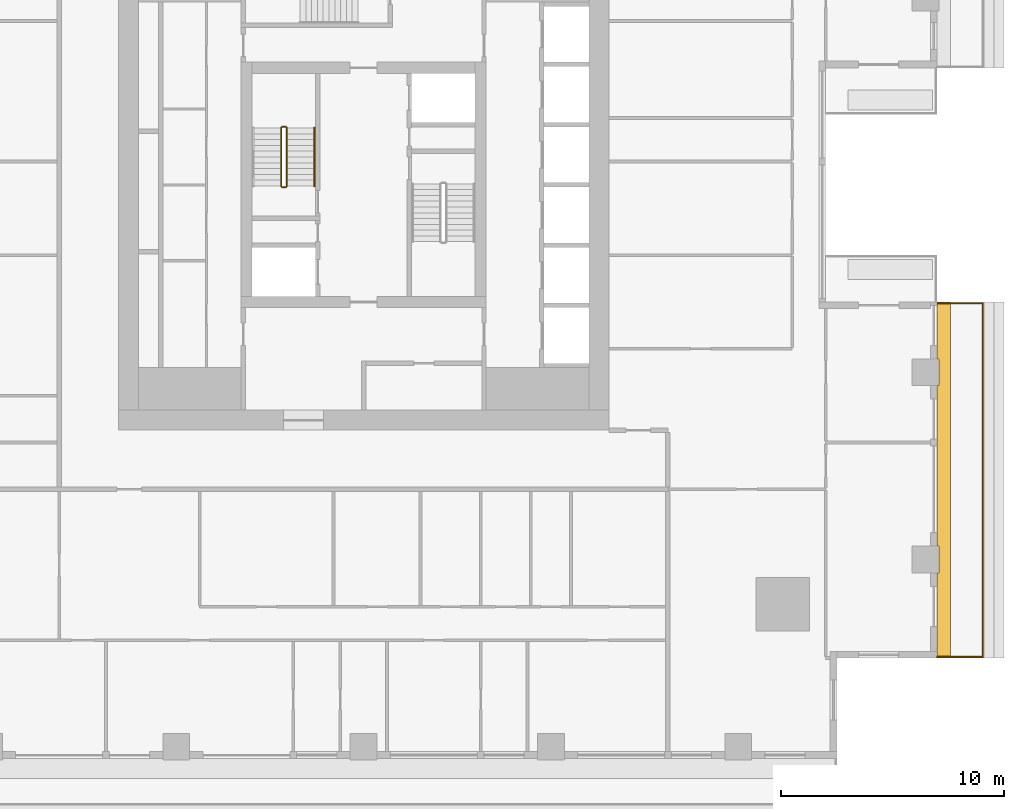
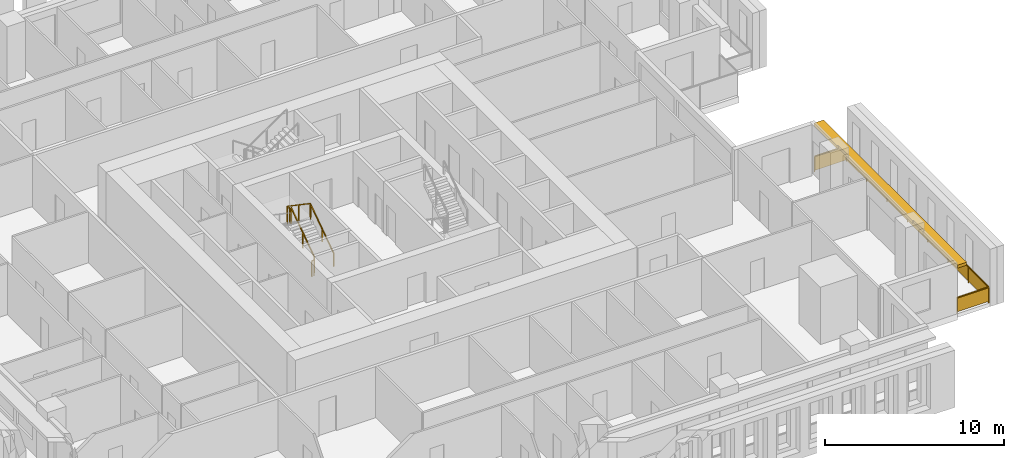
# One storey, part 12 of 15: 6 railings, 1 shading device.
"""IFC4 building model written with IfcOpenShell, lengths in metres."""

from ifc_helpers import new_model, si_unit, direction, frame, origin, origin_2d, place, context, subcontext, project, spatial, polyline, rectangle, outline, extrude, material, layer, layer_set, type_object, element, save


model = new_model("IFC4")

# Units and contexts
model_context = context("Model", 3, precision=1e-05, world=origin(), true_north=direction((0.0, 1.0)))
body_context = subcontext(model_context, "Body", "Model", "MODEL_VIEW")
ifc_project = project(units=[si_unit("LENGTHUNIT", "METRE"), si_unit("AREAUNIT", "SQUARE_METRE"), si_unit("VOLUMEUNIT", "CUBIC_METRE"), si_unit("PLANEANGLEUNIT", "RADIAN"), si_unit("MASSUNIT", "GRAM", prefix="KILO")], contexts=[model_context])

# Site, building, storey
site_placement = place(None, origin())
site = spatial("IfcSite", under=ifc_project, at=site_placement, CompositionType="ELEMENT")
building_placement = place(site_placement, origin())
building = spatial("IfcBuilding", under=site, at=building_placement, Name="Khepri Terraces", CompositionType="ELEMENT")
storey_placement = place(building_placement, frame((0.0, 0.0, 196.199951171875)))
storey = spatial("IfcBuildingStorey", under=building, at=storey_placement, Name="L46", CompositionType="ELEMENT", Elevation=196.199951171875)

# Railings
ifc_material_1 = material(Name="Stainless steel grade 316", Category="steel")
railing_type_1 = type_object("IfcRailingType", Name="GRD-BAL-1100", PredefinedType="GUARDRAIL", material=ifc_material_1)
railing_1_placement = place(storey_placement, frame((25.719970703125, -21.169921875, 0.0)))
element("IfcRailing", 1, at=railing_1_placement, inside=storey, type_object=railing_type_1, Name="Balcony guard L46 E", PredefinedType="GUARDRAIL", context=body_context, shape_type="SweptSolid", body=[
    extrude(rectangle(XDim=0.050048828125, YDim=0.06005859375, at=origin_2d()), frame((0.0, 0.0, 1.070068359375), z_axis=(1.0, 0.0, 0.0), x_axis=(0.0, 1.0, 0.0)), (0.0, 0.0, 1.0), 2.050048828125),
    extrude(rectangle(XDim=2.0, YDim=0.011962890625, at=origin_2d()), frame((1.02490234375, 0.0, 0.10009765625), z_axis=(0.0, 0.0, 1.0), x_axis=(1.0, 0.0, 0.0)), (0.0, 0.0, 1.0), 0.93994140625),
    extrude(rectangle(XDim=0.050048828125, YDim=0.06005859375, at=origin_2d()), frame((2.050048828125, 0.0, 1.070068359375), z_axis=(0.0, 1.0, 0.0), x_axis=(-1.0, 0.0, 0.0)), (0.0, 0.0, 1.0), 15.869873046875),
    extrude(rectangle(XDim=2.217041015625, YDim=0.011962890625, at=origin_2d()), frame((2.050048828125, 1.133544921875, 0.10009765625), z_axis=(0.0, 0.0, 1.0), x_axis=(0.0, 1.0, 0.0)), (0.0, 0.0, 1.0), 0.93994140625),
    extrude(rectangle(XDim=2.217041015625, YDim=0.011962890625, at=origin_2d()), frame((2.050048828125, 3.400634765625, 0.10009765625), z_axis=(0.0, 0.0, 1.0), x_axis=(0.0, 1.0, 0.0)), (0.0, 0.0, 1.0), 0.93994140625),
    extrude(rectangle(XDim=2.217041015625, YDim=0.011962890625, at=origin_2d()), frame((2.050048828125, 5.667724609375, 0.10009765625), z_axis=(0.0, 0.0, 1.0), x_axis=(0.0, 1.0, 0.0)), (0.0, 0.0, 1.0), 0.93994140625),
    extrude(rectangle(XDim=2.217041015625, YDim=0.011962890625, at=origin_2d()), frame((2.050048828125, 7.93505859375, 0.10009765625), z_axis=(0.0, 0.0, 1.0), x_axis=(0.0, 1.0, 0.0)), (0.0, 0.0, 1.0), 0.93994140625),
    extrude(rectangle(XDim=2.217041015625, YDim=0.011962890625, at=origin_2d()), frame((2.050048828125, 10.2021484375, 0.10009765625), z_axis=(0.0, 0.0, 1.0), x_axis=(0.0, 1.0, 0.0)), (0.0, 0.0, 1.0), 0.93994140625),
    extrude(rectangle(XDim=2.217041015625, YDim=0.011962890625, at=origin_2d()), frame((2.050048828125, 12.46923828125, 0.10009765625), z_axis=(0.0, 0.0, 1.0), x_axis=(0.0, 1.0, 0.0)), (0.0, 0.0, 1.0), 0.93994140625),
    extrude(rectangle(XDim=2.217041015625, YDim=0.011962890625, at=origin_2d()), frame((2.050048828125, 14.736328125, 0.10009765625), z_axis=(0.0, 0.0, 1.0), x_axis=(0.0, 1.0, 0.0)), (0.0, 0.0, 1.0), 0.93994140625),
    extrude(rectangle(XDim=0.050048828125, YDim=0.06005859375, at=origin_2d()), frame((2.050048828125, 15.869873046875, 1.070068359375), z_axis=(-1.0, 0.0, 0.0), x_axis=(0.0, -1.0, 0.0)), (0.0, 0.0, 1.0), 2.050048828125),
    extrude(rectangle(XDim=2.0, YDim=0.011962890625, at=origin_2d()), frame((1.02490234375, 15.869873046875, 0.10009765625), z_axis=(0.0, 0.0, 1.0), x_axis=(-1.0, 0.0, 0.0)), (0.0, 0.0, 1.0), 0.93994140625),
    extrude(rectangle(XDim=0.050048828125, YDim=0.050048828125, at=origin_2d()), origin(), (0.0, 0.0, 1.0), 1.0400390625),
    extrude(rectangle(XDim=0.050048828125, YDim=0.050048828125, at=origin_2d()), frame((2.050048828125, 0.0, 0.0)), (0.0, 0.0, 1.0), 1.0400390625),
    extrude(rectangle(XDim=0.050048828125, YDim=0.050048828125, at=origin_2d()), frame((2.050048828125, 2.26708984375, 0.0)), (0.0, 0.0, 1.0), 1.0400390625),
    extrude(rectangle(XDim=0.050048828125, YDim=0.050048828125, at=origin_2d()), frame((2.050048828125, 4.5341796875, 0.0)), (0.0, 0.0, 1.0), 1.0400390625),
    extrude(rectangle(XDim=0.050048828125, YDim=0.050048828125, at=origin_2d()), frame((2.050048828125, 6.80126953125, 0.0)), (0.0, 0.0, 1.0), 1.0400390625),
    extrude(rectangle(XDim=0.050048828125, YDim=0.050048828125, at=origin_2d()), frame((2.050048828125, 9.068603515625, 0.0)), (0.0, 0.0, 1.0), 1.0400390625),
    extrude(rectangle(XDim=0.050048828125, YDim=0.050048828125, at=origin_2d()), frame((2.050048828125, 11.335693359375, 0.0)), (0.0, 0.0, 1.0), 1.0400390625),
    extrude(rectangle(XDim=0.050048828125, YDim=0.050048828125, at=origin_2d()), frame((2.050048828125, 13.602783203125, 0.0)), (0.0, 0.0, 1.0), 1.0400390625),
    extrude(rectangle(XDim=0.050048828125, YDim=0.050048828125, at=origin_2d()), frame((2.050048828125, 15.869873046875, 0.0)), (0.0, 0.0, 1.0), 1.0400390625),
    extrude(rectangle(XDim=0.050048828125, YDim=0.050048828125, at=origin_2d()), frame((0.0, 15.869873046875, 0.0)), (0.0, 0.0, 1.0), 1.0400390625),
])
ifc_material_2 = material(Name="Stainless steel 316", Category="steel")
railing_type_2 = type_object("IfcRailingType", Name="RL-CORE-GUARD", PredefinedType="GUARDRAIL", material=ifc_material_2)
railing_2_placement = place(storey_placement, frame((-3.449951171875, -0.050048828125, 0.17724609375)))
element("IfcRailing", 2, at=railing_2_placement, inside=storey, type_object=railing_type_2, Name="L46 ST-1 stair guard 1", PredefinedType="GUARDRAIL", context=body_context, shape_type="SweptSolid", body=[
    extrude(rectangle(XDim=0.050048828125, YDim=0.06005859375, at=origin_2d()), frame((0.0, 0.0, 1.070068359375), z_axis=(0.0, 0.826240473404, 0.563317565952), x_axis=(-1.0, 0.0, 0.0)), (0.0, 0.0, 1.0), 3.14697265625),
    extrude(rectangle(XDim=0.050048828125, YDim=0.050048828125, at=origin_2d()), origin(), (0.0, 0.0, 1.0), 1.0400390625),
    extrude(rectangle(XDim=0.050048828125, YDim=0.050048828125, at=origin_2d()), frame((0.0, 1.300048828125, 0.88623046875)), (0.0, 0.0, 1.0), 1.0400390625),
    extrude(rectangle(XDim=0.050048828125, YDim=0.050048828125, at=origin_2d()), frame((0.0, 2.60009765625, 1.772705078125)), (0.0, 0.0, 1.0), 1.0400390625),
])
railing_3_placement = place(storey_placement, frame((-3.5, 2.60009765625, 1.949951171875)))
element("IfcRailing", 3, at=railing_3_placement, inside=storey, type_object=railing_type_2, Name="L46 ST-1 stair guard 2", PredefinedType="GUARDRAIL", context=body_context, shape_type="SweptSolid", body=[
    extrude(rectangle(XDim=0.050048828125, YDim=0.06005859375, at=origin_2d()), frame((0.0, 0.0, 1.070068359375), z_axis=(-1.0, 0.0, 0.0), x_axis=(0.0, -1.0, 0.0)), (0.0, 0.0, 1.0), 0.14990234375),
    extrude(rectangle(XDim=0.050048828125, YDim=0.050048828125, at=origin_2d()), origin(), (0.0, 0.0, 1.0), 1.0400390625),
    extrude(rectangle(XDim=0.050048828125, YDim=0.050048828125, at=origin_2d()), frame((-0.14990234375, 0.0, 0.0)), (0.0, 0.0, 1.0), 1.0400390625),
])
railing_4_placement = place(storey_placement, frame((-3.699951171875, 2.550048828125, 2.12744140625)))
element("IfcRailing", 4, at=railing_4_placement, inside=storey, type_object=railing_type_2, Name="L46 ST-1 stair guard 3", PredefinedType="GUARDRAIL", context=body_context, shape_type="SweptSolid", body=[
    extrude(rectangle(XDim=0.050048828125, YDim=0.06005859375, at=origin_2d()), frame((0.0, 0.0, 1.070068359375), z_axis=(0.0, -0.826240473404, 0.563317565952), x_axis=(1.0, 0.0, 0.0)), (0.0, 0.0, 1.0), 3.14697265625),
    extrude(rectangle(XDim=0.050048828125, YDim=0.050048828125, at=origin_2d()), origin(), (0.0, 0.0, 1.0), 1.0400390625),
    extrude(rectangle(XDim=0.050048828125, YDim=0.050048828125, at=origin_2d()), frame((0.0, -1.300048828125, 0.88623046875)), (0.0, 0.0, 1.0), 1.0400390625),
    extrude(rectangle(XDim=0.050048828125, YDim=0.050048828125, at=origin_2d()), frame((0.0, -2.60009765625, 1.772705078125)), (0.0, 0.0, 1.0), 1.0400390625),
])
railing_5_placement = place(storey_placement, frame((-3.5, -0.10009765625, 0.0)))
element("IfcRailing", 5, at=railing_5_placement, inside=storey, type_object=railing_type_2, Name="L46 ST-1 stair guard 4", PredefinedType="GUARDRAIL", context=body_context, shape_type="SweptSolid", body=[
    extrude(rectangle(XDim=0.050048828125, YDim=0.06005859375, at=origin_2d()), frame((0.0, 0.0, 1.070068359375), z_axis=(-1.0, 0.0, 0.0), x_axis=(0.0, -1.0, 0.0)), (0.0, 0.0, 1.0), 0.14990234375),
    extrude(rectangle(XDim=0.050048828125, YDim=0.050048828125, at=origin_2d()), origin(), (0.0, 0.0, 1.0), 1.0400390625),
    extrude(rectangle(XDim=0.050048828125, YDim=0.050048828125, at=origin_2d()), frame((-0.14990234375, 0.0, 0.0)), (0.0, 0.0, 1.0), 1.0400390625),
])
railing_type_3 = type_object("IfcRailingType", Name="RL-CORE-HANDRAIL", PredefinedType="HANDRAIL", material=ifc_material_2)
railing_6_placement = place(storey_placement, frame((-2.199951171875, -0.050048828125, 0.17724609375)))
element("IfcRailing", 6, at=railing_6_placement, inside=storey, type_object=railing_type_3, Name="L46 ST-1 stair handrail 1", PredefinedType="HANDRAIL", context=body_context, shape_type="SweptSolid", body=[
    extrude(rectangle(XDim=0.050048828125, YDim=0.050048828125, at=origin_2d()), frame((0.0, 0.0, 0.875), z_axis=(0.0, 0.826240473404, 0.563317565952), x_axis=(-1.0, 0.0, 0.0)), (0.0, 0.0, 1.0), 3.14697265625),
    extrude(rectangle(XDim=0.050048828125, YDim=0.050048828125, at=origin_2d()), origin(), (0.0, 0.0, 1.0), 0.849853515625),
    extrude(rectangle(XDim=0.050048828125, YDim=0.050048828125, at=origin_2d()), frame((0.0, 1.300048828125, 0.88623046875)), (0.0, 0.0, 1.0), 0.849853515625),
    extrude(rectangle(XDim=0.050048828125, YDim=0.050048828125, at=origin_2d()), frame((0.0, 2.60009765625, 1.772705078125)), (0.0, 0.0, 1.0), 0.849853515625),
])

# Shading device
ifc_material_3 = material(Name="Precast concrete C50/60 warm stone", Category="masonry")
ifc_layer = layer(ifc_material_3, 0.199951171875, Name="Precast concrete C50/60 warm stone", Category="masonry")
ifc_layer_set = layer_set([ifc_layer], Name="Precast concrete C50/60 warm stone")
shading_device_type = type_object("IfcShadingDeviceType", Name="SSH-BAND-STONE-200-N", PredefinedType="USERDEFINED", material=ifc_layer_set)
shading_device_placement = place(storey_placement, frame((0.0, 0.0, 3.10009765625)))
element("IfcShadingDevice", 7, at=shading_device_placement, inside=storey, type_object=shading_device_type, Name="Sunshade band L46 E", ObjectType="SUNSHADE", PredefinedType="USERDEFINED", context=body_context, shape_type="SweptSolid", body=[
    extrude(outline(polyline([(25.719970703125, -17.39990234375), (25.719970703125, -21.219970703125), (26.320068359375, -21.219970703125), (26.320068359375, -5.25), (25.719970703125, -5.25), (25.719970703125, -7.800048828125), (25.800048828125, -7.800048828125), (25.800048828125, -9.0), (25.719970703125, -9.0), (25.719970703125, -16.199951171875), (25.800048828125, -16.199951171875), (25.800048828125, -17.39990234375), (25.719970703125, -17.39990234375)])), origin(), (0.0, 0.0, 1.0), 0.199951171875),
])

save(model, "model.ifc")
